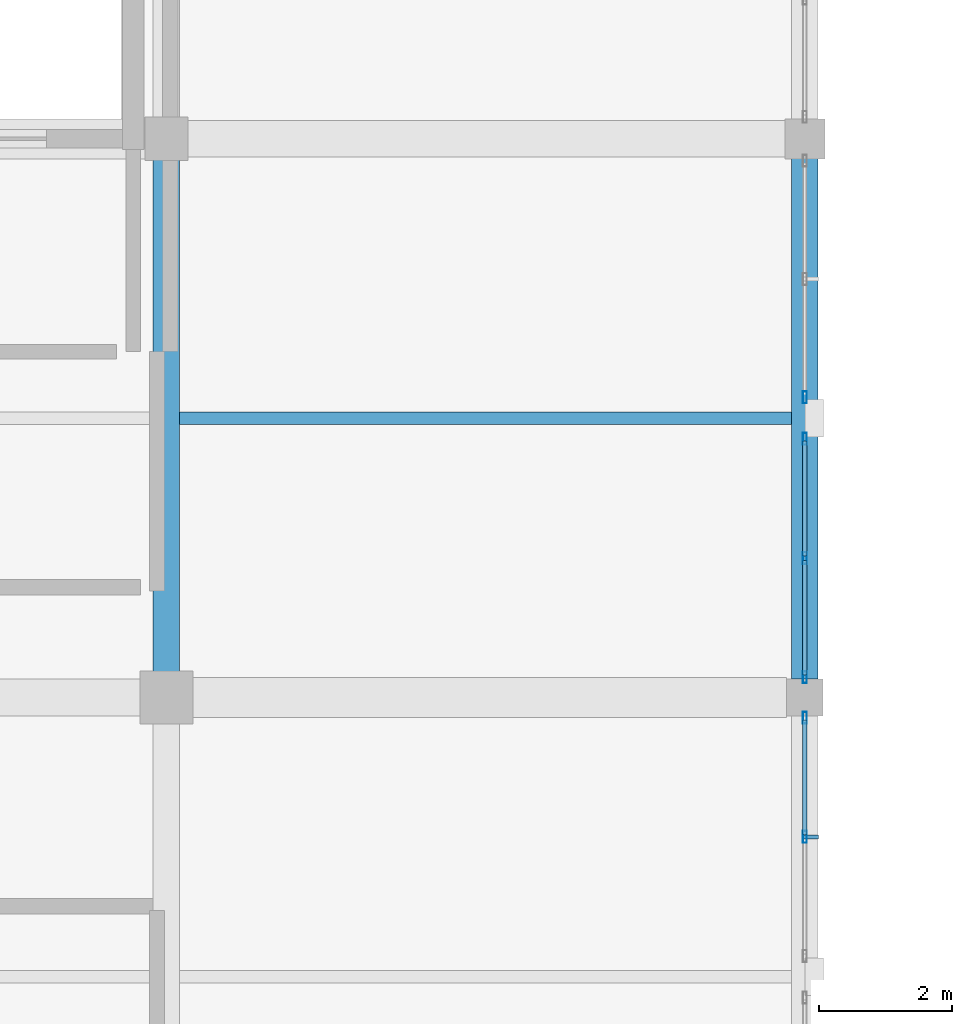
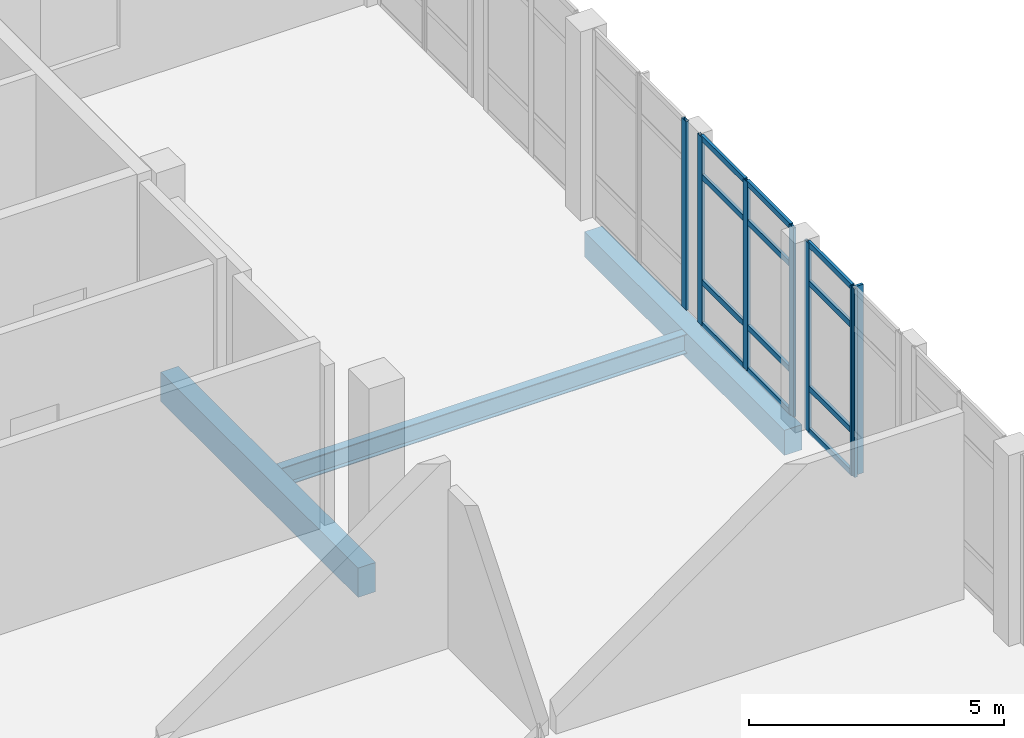
# One storey, part 68 of 102: 19 members, 3 beams, 3 elements without a shape of their own.
"""IFC4 building model written with IfcOpenShell, lengths in metres."""

from ifc_helpers import new_model, si_unit, direction, frame, origin, origin_2d, place, context, subcontext, project, spatial, rectangle, hollow_rectangle, i_section, extrude, material, layer, layer_set, material_profile, profile_set, type_object, element, aggregate, save


model = new_model("IFC4")

# Units and contexts
model_context = context("Model", 3, precision=1e-05, world=origin(), true_north=direction((0.0, 1.0)))
body_context = subcontext(model_context, "Body", "Model", "MODEL_VIEW")
ifc_project = project(units=[si_unit("LENGTHUNIT", "METRE"), si_unit("AREAUNIT", "SQUARE_METRE"), si_unit("VOLUMEUNIT", "CUBIC_METRE"), si_unit("PLANEANGLEUNIT", "RADIAN"), si_unit("MASSUNIT", "GRAM", prefix="KILO")], contexts=[model_context])

# Site, building, storey
site_placement = place(None, origin())
site = spatial("IfcSite", under=ifc_project, at=site_placement, CompositionType="ELEMENT")
building_placement = place(site_placement, origin())
building = spatial("IfcBuilding", under=site, at=building_placement, Name="Lornevale Opera House", CompositionType="ELEMENT")
storey_placement = place(building_placement, frame((0.0, 0.0, 5.39990234375)))
storey = spatial("IfcBuildingStorey", under=building, at=storey_placement, Name="L02", CompositionType="ELEMENT", Elevation=5.39990234375)

# Beams
ifc_material_1 = material(Name="Concrete 35 MPa (CSA A23.1 N)", Category="concrete")
ifc_material_profile_1 = material_profile(ifc_material_1, rectangle(XDim=0.39990234375, YDim=0.699951171875, at=origin_2d()), Name="RC400x700")
ifc_profile_set_1 = profile_set([ifc_material_profile_1], Name="Concrete 35 MPa (CSA A23.1 N)")
beam_type_1 = type_object("IfcBeamType", Name="Concrete Floor Beam 400x700", PredefinedType="USERDEFINED", material=ifc_profile_set_1)
beam_1_placement = place(storey_placement, frame((144.0, 59.175048828125, -0.64990234375), z_axis=(0.0, 1.0, 0.0), x_axis=(-1.0, 0.0, 0.0)))
element("IfcBeam", 1, at=beam_1_placement, inside=storey, type_object=beam_type_1, Name="Concrete Floor Beam 400x700 1966", ObjectType="GIRDER", PredefinedType="USERDEFINED", context=body_context, shape_type="SweptSolid", body=[
    extrude(rectangle(XDim=0.39990234375, YDim=0.699951171875, at=origin_2d()), origin(), (0.0, 0.0, 1.0), 7.75),
])
ifc_material_profile_2 = material_profile(ifc_material_1, rectangle(XDim=0.39990234375, YDim=0.60009765625, at=origin_2d()), Name="RC400x600")
ifc_profile_set_2 = profile_set([ifc_material_profile_2], Name="Concrete 35 MPa (CSA A23.1 N)")
beam_type_2 = type_object("IfcBeamType", Name="Concrete Spandrel Beam 400x600", PredefinedType="SPANDREL", material=ifc_profile_set_2)
beam_2_placement = place(storey_placement, frame((153.60009765625, 59.074951171875, -0.599853515625), z_axis=(0.0, 1.0, 0.0), x_axis=(-1.0, 0.0, 0.0)))
element("IfcBeam", 2, at=beam_2_placement, inside=storey, type_object=beam_type_2, Name="Concrete Spandrel Beam 400x600 1975", PredefinedType="SPANDREL", context=body_context, shape_type="SweptSolid", body=[
    extrude(rectangle(XDim=0.39990234375, YDim=0.60009765625, at=origin_2d()), origin(), (0.0, 0.0, 1.0), 7.85009765625),
])

# Curtain wall, members
ifc_material_2 = material(Name="Anodized Oxide-Green Aluminium Framing", Category="aluminium")
ifc_layer = layer(ifc_material_2, 0.179931640625)
ifc_layer_set = layer_set([ifc_layer], Name="Anodized Oxide-Green Aluminium Framing")
curtain_wall_type = type_object("IfcCurtainWallType", Name="Promenade Gallery Curtain Wall M1800", PredefinedType="NOTDEFINED", material=ifc_layer_set)
curtain_wall_1_placement = place(storey_placement, origin())
curtain_wall_1 = element("IfcCurtainWall", 3, at=curtain_wall_1_placement, inside=storey, type_object=curtain_wall_type, Name="Promenade Gallery Curtain Wall M1800 CW-086", PredefinedType="NOTDEFINED")
ifc_material_profile_3 = material_profile(ifc_material_2, hollow_rectangle(XDim=0.06494140625, YDim=0.179931640625, WallThickness=0.0048828125, at=origin_2d()), Name="ALU65x180x5")
ifc_profile_set_3 = profile_set([ifc_material_profile_3], Name="Anodized Oxide-Green Aluminium Framing")
member_type_1 = type_object("IfcMemberType", Name="Curtain Wall Mullion 65x180", PredefinedType="MULLION", material=ifc_profile_set_3)
member_1_placement = place(storey_placement, frame((153.60009765625, 58.49658203125, 0.0), z_axis=(0.0, 0.0, 1.0), x_axis=(1.0, 0.0, 0.0)))
member_1 = element("IfcMember", 4, at=member_1_placement, type_object=member_type_1, Name="Curtain Wall Mullion 65x180 CW1718", PredefinedType="MULLION", context=body_context, shape_type="SweptSolid", body=[
    extrude(hollow_rectangle(XDim=0.06494140625, YDim=0.179931640625, WallThickness=0.0048828125, at=origin_2d()), origin(), (0.0, 0.0, 1.0), 4.52001953125),
])
member_2_placement = place(storey_placement, frame((153.60009765625, 56.70458984375, 0.0), z_axis=(0.0, 0.0, 1.0), x_axis=(1.0, 0.0, 0.0)))
member_2 = element("IfcMember", 5, at=member_2_placement, type_object=member_type_1, Name="Curtain Wall Mullion 65x180 CW1719", PredefinedType="MULLION", context=body_context, shape_type="SweptSolid", body=[
    extrude(hollow_rectangle(XDim=0.06494140625, YDim=0.179931640625, WallThickness=0.0048828125, at=origin_2d()), origin(), (0.0, 0.0, 1.0), 4.52001953125),
])

# Curtain wall, member
curtain_wall_2_placement = place(storey_placement, origin())
curtain_wall_2 = element("IfcCurtainWall", 6, at=curtain_wall_2_placement, inside=storey, type_object=curtain_wall_type, Name="Promenade Gallery Curtain Wall M1800 CW-088", PredefinedType="NOTDEFINED")
member_3_placement = place(storey_placement, frame((153.60009765625, 63.3125, 0.0), z_axis=(0.0, 0.0, 1.0), x_axis=(1.0, 0.0, 0.0)))
member_3 = element("IfcMember", 7, at=member_3_placement, type_object=member_type_1, Name="Curtain Wall Mullion 65x180 CW1754", PredefinedType="MULLION", context=body_context, shape_type="SweptSolid", body=[
    extrude(hollow_rectangle(XDim=0.06494140625, YDim=0.179931640625, WallThickness=0.0048828125, at=origin_2d()), origin(), (0.0, 0.0, 1.0), 4.52001953125),
])
aggregate(curtain_wall_2, [member_3])

# Curtain wall, members
curtain_wall_3_placement = place(storey_placement, origin())
curtain_wall_3 = element("IfcCurtainWall", 8, at=curtain_wall_3_placement, inside=storey, type_object=curtain_wall_type, Name="Promenade Gallery Curtain Wall M1800 CW-089", PredefinedType="NOTDEFINED")
member_4_placement = place(storey_placement, frame((153.60009765625, 62.6875, 0.0), z_axis=(0.0, 0.0, 1.0), x_axis=(1.0, 0.0, 0.0)))
member_4 = element("IfcMember", 9, at=member_4_placement, type_object=member_type_1, Name="Curtain Wall Mullion 65x180 CW1769", PredefinedType="MULLION", context=body_context, shape_type="SweptSolid", body=[
    extrude(hollow_rectangle(XDim=0.06494140625, YDim=0.179931640625, WallThickness=0.0048828125, at=origin_2d()), origin(), (0.0, 0.0, 1.0), 4.52001953125),
])
member_5_placement = place(storey_placement, frame((153.60009765625, 60.8955078125, 0.0), z_axis=(0.0, 0.0, 1.0), x_axis=(1.0, 0.0, 0.0)))
member_5 = element("IfcMember", 10, at=member_5_placement, type_object=member_type_1, Name="Curtain Wall Mullion 65x180 CW1770", PredefinedType="MULLION", context=body_context, shape_type="SweptSolid", body=[
    extrude(hollow_rectangle(XDim=0.06494140625, YDim=0.179931640625, WallThickness=0.0048828125, at=origin_2d()), origin(), (0.0, 0.0, 1.0), 4.52001953125),
])
member_6_placement = place(storey_placement, frame((153.60009765625, 59.103515625, 0.0), z_axis=(0.0, 0.0, 1.0), x_axis=(1.0, 0.0, 0.0)))
member_6 = element("IfcMember", 11, at=member_6_placement, type_object=member_type_1, Name="Curtain Wall Mullion 65x180 CW1771", PredefinedType="MULLION", context=body_context, shape_type="SweptSolid", body=[
    extrude(hollow_rectangle(XDim=0.06494140625, YDim=0.179931640625, WallThickness=0.0048828125, at=origin_2d()), origin(), (0.0, 0.0, 1.0), 4.52001953125),
])

# Member
ifc_material_profile_4 = material_profile(ifc_material_2, hollow_rectangle(XDim=0.06494140625, YDim=0.135009765625, WallThickness=0.00390625, at=origin_2d()), Name="ALU65x135x4")
ifc_profile_set_4 = profile_set([ifc_material_profile_4], Name="Anodized Oxide-Green Aluminium Framing")
member_type_2 = type_object("IfcMemberType", Name="Curtain Wall Transom 65x135", PredefinedType="USERDEFINED", material=ifc_profile_set_4)
member_7_placement = place(storey_placement, frame((153.60009765625, 58.464111328125, 0.03271484375), z_axis=(0.0, -1.0, 0.0), x_axis=(1.0, 0.0, 0.0)))
member_7 = element("IfcMember", 12, at=member_7_placement, type_object=member_type_2, Name="Curtain Wall Transom 65x135 CW1721", ObjectType="TRANSOM", PredefinedType="USERDEFINED", context=body_context, shape_type="SweptSolid", body=[
    extrude(hollow_rectangle(XDim=0.06494140625, YDim=0.135009765625, WallThickness=0.00390625, at=origin_2d()), origin(), (0.0, 0.0, 1.0), 1.72705078125),
])

member_8_placement = place(storey_placement, frame((153.60009765625, 58.464111328125, 1.050048828125), z_axis=(0.0, -1.0, 0.0), x_axis=(1.0, 0.0, 0.0)))
member_8 = element("IfcMember", 13, at=member_8_placement, type_object=member_type_2, Name="Curtain Wall Transom 65x135 CW1722", ObjectType="TRANSOM", PredefinedType="USERDEFINED", context=body_context, shape_type="SweptSolid", body=[
    extrude(hollow_rectangle(XDim=0.06494140625, YDim=0.135009765625, WallThickness=0.00390625, at=origin_2d()), origin(), (0.0, 0.0, 1.0), 1.72705078125),
])

member_9_placement = place(storey_placement, frame((153.60009765625, 58.464111328125, 3.570068359375), z_axis=(0.0, -1.0, 0.0), x_axis=(1.0, 0.0, 0.0)))
member_9 = element("IfcMember", 14, at=member_9_placement, type_object=member_type_2, Name="Curtain Wall Transom 65x135 CW1723", ObjectType="TRANSOM", PredefinedType="USERDEFINED", context=body_context, shape_type="SweptSolid", body=[
    extrude(hollow_rectangle(XDim=0.06494140625, YDim=0.135009765625, WallThickness=0.00390625, at=origin_2d()), origin(), (0.0, 0.0, 1.0), 1.72705078125),
])

member_10_placement = place(storey_placement, frame((153.60009765625, 58.464111328125, 4.487548828125), z_axis=(0.0, -1.0, 0.0), x_axis=(1.0, 0.0, 0.0)))
member_10 = element("IfcMember", 15, at=member_10_placement, type_object=member_type_2, Name="Curtain Wall Transom 65x135 CW1724", ObjectType="TRANSOM", PredefinedType="USERDEFINED", context=body_context, shape_type="SweptSolid", body=[
    extrude(hollow_rectangle(XDim=0.06494140625, YDim=0.135009765625, WallThickness=0.00390625, at=origin_2d()), origin(), (0.0, 0.0, 1.0), 1.72705078125),
])

member_11_placement = place(storey_placement, frame((153.60009765625, 62.655029296875, 0.03271484375), z_axis=(0.0, -1.0, 0.0), x_axis=(1.0, 0.0, 0.0)))
member_11 = element("IfcMember", 16, at=member_11_placement, type_object=member_type_2, Name="Curtain Wall Transom 65x135 CW1772", ObjectType="TRANSOM", PredefinedType="USERDEFINED", context=body_context, shape_type="SweptSolid", body=[
    extrude(hollow_rectangle(XDim=0.06494140625, YDim=0.135009765625, WallThickness=0.00390625, at=origin_2d()), origin(), (0.0, 0.0, 1.0), 1.72705078125),
])

member_12_placement = place(storey_placement, frame((153.60009765625, 62.655029296875, 1.050048828125), z_axis=(0.0, -1.0, 0.0), x_axis=(1.0, 0.0, 0.0)))
member_12 = element("IfcMember", 17, at=member_12_placement, type_object=member_type_2, Name="Curtain Wall Transom 65x135 CW1773", ObjectType="TRANSOM", PredefinedType="USERDEFINED", context=body_context, shape_type="SweptSolid", body=[
    extrude(hollow_rectangle(XDim=0.06494140625, YDim=0.135009765625, WallThickness=0.00390625, at=origin_2d()), origin(), (0.0, 0.0, 1.0), 1.72705078125),
])

member_13_placement = place(storey_placement, frame((153.60009765625, 62.655029296875, 3.570068359375), z_axis=(0.0, -1.0, 0.0), x_axis=(1.0, 0.0, 0.0)))
member_13 = element("IfcMember", 18, at=member_13_placement, type_object=member_type_2, Name="Curtain Wall Transom 65x135 CW1774", ObjectType="TRANSOM", PredefinedType="USERDEFINED", context=body_context, shape_type="SweptSolid", body=[
    extrude(hollow_rectangle(XDim=0.06494140625, YDim=0.135009765625, WallThickness=0.00390625, at=origin_2d()), origin(), (0.0, 0.0, 1.0), 1.72705078125),
])

member_14_placement = place(storey_placement, frame((153.60009765625, 62.655029296875, 4.487548828125), z_axis=(0.0, -1.0, 0.0), x_axis=(1.0, 0.0, 0.0)))
member_14 = element("IfcMember", 19, at=member_14_placement, type_object=member_type_2, Name="Curtain Wall Transom 65x135 CW1775", ObjectType="TRANSOM", PredefinedType="USERDEFINED", context=body_context, shape_type="SweptSolid", body=[
    extrude(hollow_rectangle(XDim=0.06494140625, YDim=0.135009765625, WallThickness=0.00390625, at=origin_2d()), origin(), (0.0, 0.0, 1.0), 1.72705078125),
])

member_15_placement = place(storey_placement, frame((153.60009765625, 60.863037109375, 0.03271484375), z_axis=(0.0, -1.0, 0.0), x_axis=(1.0, 0.0, 0.0)))
member_15 = element("IfcMember", 20, at=member_15_placement, type_object=member_type_2, Name="Curtain Wall Transom 65x135 CW1779", ObjectType="TRANSOM", PredefinedType="USERDEFINED", context=body_context, shape_type="SweptSolid", body=[
    extrude(hollow_rectangle(XDim=0.06494140625, YDim=0.135009765625, WallThickness=0.00390625, at=origin_2d()), origin(), (0.0, 0.0, 1.0), 1.72705078125),
])

member_16_placement = place(storey_placement, frame((153.60009765625, 60.863037109375, 1.050048828125), z_axis=(0.0, -1.0, 0.0), x_axis=(1.0, 0.0, 0.0)))
member_16 = element("IfcMember", 21, at=member_16_placement, type_object=member_type_2, Name="Curtain Wall Transom 65x135 CW1780", ObjectType="TRANSOM", PredefinedType="USERDEFINED", context=body_context, shape_type="SweptSolid", body=[
    extrude(hollow_rectangle(XDim=0.06494140625, YDim=0.135009765625, WallThickness=0.00390625, at=origin_2d()), origin(), (0.0, 0.0, 1.0), 1.72705078125),
])

member_17_placement = place(storey_placement, frame((153.60009765625, 60.863037109375, 3.570068359375), z_axis=(0.0, -1.0, 0.0), x_axis=(1.0, 0.0, 0.0)))
member_17 = element("IfcMember", 22, at=member_17_placement, type_object=member_type_2, Name="Curtain Wall Transom 65x135 CW1781", ObjectType="TRANSOM", PredefinedType="USERDEFINED", context=body_context, shape_type="SweptSolid", body=[
    extrude(hollow_rectangle(XDim=0.06494140625, YDim=0.135009765625, WallThickness=0.00390625, at=origin_2d()), origin(), (0.0, 0.0, 1.0), 1.72705078125),
])

member_18_placement = place(storey_placement, frame((153.60009765625, 60.863037109375, 4.487548828125), z_axis=(0.0, -1.0, 0.0), x_axis=(1.0, 0.0, 0.0)))
member_18 = element("IfcMember", 23, at=member_18_placement, type_object=member_type_2, Name="Curtain Wall Transom 65x135 CW1782", ObjectType="TRANSOM", PredefinedType="USERDEFINED", context=body_context, shape_type="SweptSolid", body=[
    extrude(hollow_rectangle(XDim=0.06494140625, YDim=0.135009765625, WallThickness=0.00390625, at=origin_2d()), origin(), (0.0, 0.0, 1.0), 1.72705078125),
])

aggregate(curtain_wall_3, [member_4, member_5, member_6, member_11, member_12, member_13, member_14, member_15, member_16, member_17, member_18])

ifc_material_3 = material(Name="Architectural Bronze Solar Louvre Alloy", Category="metal")
ifc_material_profile_5 = material_profile(ifc_material_3, rectangle(XDim=0.06005859375, YDim=0.239990234375, at=origin_2d()), Name="FIN60x240")
ifc_profile_set_5 = profile_set([ifc_material_profile_5], Name="Architectural Bronze Solar Louvre Alloy")
member_type_3 = type_object("IfcMemberType", Name="Solar Shading Fin 60x240", PredefinedType="USERDEFINED", material=ifc_profile_set_5)
member_19_placement = place(storey_placement, frame((153.68408203125, 56.70458984375, 0.0), z_axis=(0.0, 0.0, 1.0), x_axis=(0.0, -1.0, 0.0)))
member_19 = element("IfcMember", 24, at=member_19_placement, type_object=member_type_3, Name="Solar Shading Fin 60x240 FIN0038", ObjectType="SOLAR FIN", PredefinedType="USERDEFINED", context=body_context, shape_type="SweptSolid", body=[
    extrude(rectangle(XDim=0.06005859375, YDim=0.239990234375, at=origin_2d()), origin(), (0.0, 0.0, 1.0), 4.52001953125),
])

aggregate(curtain_wall_1, [member_1, member_2, member_7, member_8, member_9, member_10, member_19])

# Beam
ifc_material_4 = material(Name="Structural Steel CSA G40.21 Grade 350W (350 MPa)", Category="steel")
ifc_material_profile_6 = material_profile(ifc_material_4, i_section(OverallWidth=0.19189453125, OverallDepth=0.462890625, WebThickness=0.010498046875, FlangeThickness=0.017578125, at=origin_2d()), Name="W460x89")
ifc_profile_set_6 = profile_set([ifc_material_profile_6], Name="Structural Steel CSA G40.21 Grade 350W (350 MPa)")
beam_type_3 = type_object("IfcBeamType", Name="Steel Floor Joist W460x89", PredefinedType="JOIST", material=ifc_profile_set_6)
beam_3_placement = place(storey_placement, frame((144.199951171875, 63.0, -0.54638671875), z_axis=(1.0, 0.0, 0.0), x_axis=(0.0, 1.0, 0.0)))
element("IfcBeam", 25, at=beam_3_placement, inside=storey, type_object=beam_type_3, Name="Steel Floor Joist W460x89 2078", PredefinedType="JOIST", context=body_context, shape_type="SweptSolid", body=[
    extrude(i_section(OverallWidth=0.19189453125, OverallDepth=0.462890625, WebThickness=0.010498046875, FlangeThickness=0.017578125, at=origin_2d()), origin(), (0.0, 0.0, 1.0), 9.199951171875),
])

save(model, "model.ifc")
